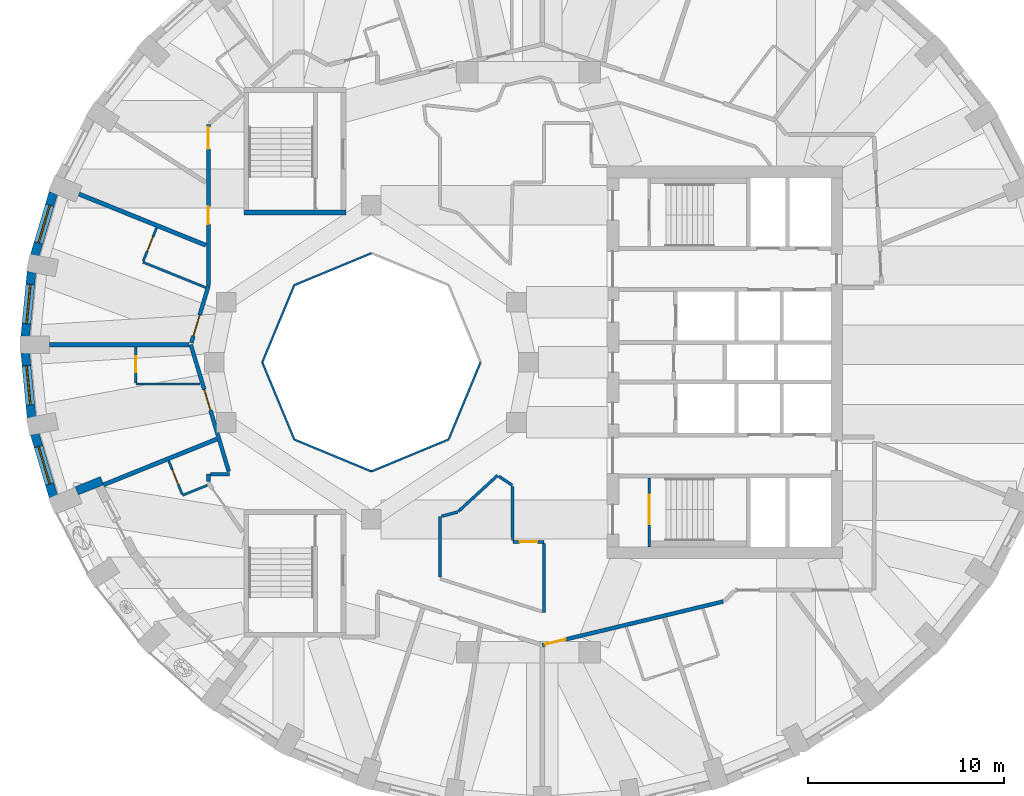
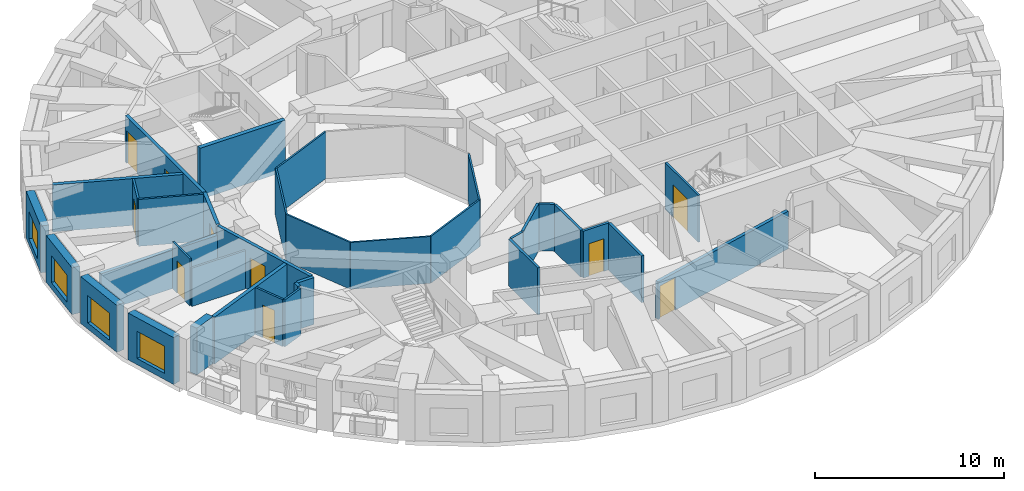
# One storey, part 4 of 12: 35 walls, 10 doors, 4 windows, 14 openings.
"""IFC4 building model written with IfcOpenShell, lengths in metres."""

from ifc_helpers import new_model, si_unit, direction, frame, frame_2d, origin, place, context, subcontext, project, spatial, rectangle, extrude, material, layer, layer_set, type_object, element, fill, save


model = new_model("IFC4")

# Units and contexts
model_context = context("Model", 3, precision=1e-05, world=origin(), true_north=direction((0.0, 1.0)))
body_context = subcontext(model_context, "Body", "Model", "MODEL_VIEW")
ifc_project = project(units=[si_unit("LENGTHUNIT", "METRE"), si_unit("AREAUNIT", "SQUARE_METRE"), si_unit("VOLUMEUNIT", "CUBIC_METRE"), si_unit("PLANEANGLEUNIT", "RADIAN"), si_unit("MASSUNIT", "GRAM", prefix="KILO")], contexts=[model_context])

# Site, building, storey
site_placement = place(None, origin())
site = spatial("IfcSite", under=ifc_project, at=site_placement, CompositionType="ELEMENT")
building_placement = place(site_placement, origin())
building = spatial("IfcBuilding", under=site, at=building_placement, Name="Taillehof Tower", CompositionType="ELEMENT")
storey_placement = place(building_placement, frame((0.0, 0.0, 218.89990234375)))
storey = spatial("IfcBuildingStorey", under=building, at=storey_placement, Name="L62", CompositionType="ELEMENT", Elevation=218.89990234375)

# Walls
ifc_material_1 = material(Name="Fire-resisting glass in steel frame", Category="steel")
ifc_layer_1 = layer(ifc_material_1, 0.10009765625)
ifc_layer_set_1 = layer_set([ifc_layer_1], Name="Atrium fire-resisting screen EI 60 100")
wall_type_1 = type_object("IfcWallType", Name="Atrium fire-resisting screen EI 60 100", PredefinedType="PARTITIONING", material=ifc_layer_set_1)
for number, where, z_axis, x_axis, name in (
    (1, (-2.44580078125, 0.0, 0.0), (0.0, 0.0, 1.0), (-0.382730523909, -0.923860025149, 0.0), "Atrium screen"),
    (2, (-4.07275390625, -3.92724609375, 0.0), (0.0, 0.0, 1.0), (-0.923860025149, -0.382730523909, 0.0), "Atrium screen"),
    (3, (-8.0, -5.55419921875, 0.0), (0.0, 0.0, 1.0), (-0.923860025149, 0.382730523909, 0.0), "Atrium screen"),
    (4, (-11.92724609375, -3.92724609375, 0.0), (0.0, 0.0, 1.0), (-0.382730523909, 0.923860025149, 0.0), "Atrium screen"),
    (5, (-13.55419921875, 0.0, 0.0), (0.0, 0.0, 1.0), (0.382730523909, 0.923860025149, 0.0), "Atrium screen"),
    (6, (-11.92724609375, 3.92724609375, 0.0), (0.0, 0.0, 1.0), (0.923860025149, 0.382730523909, 0.0), "Atrium screen"),
):
    element("IfcWall", number, at=place(storey_placement, frame(where, z_axis=z_axis, x_axis=x_axis)), inside=storey, type_object=wall_type_1, Name=name, PredefinedType="PARTITIONING", context=body_context, shape_type="SweptSolid", body=[
        extrude(rectangle(XDim=4.2509765625, YDim=0.10009765625, at=frame_2d((2.12548828125, 0.0))), origin(), (0.0, 0.0, 1.0), 3.02001953125),
    ])

# Wall, opening, window
ifc_material_2 = material(Name="Brick masonry", Category="masonry")
ifc_layer_2 = layer(ifc_material_2, 0.449951171875)
ifc_layer_set_2 = layer_set([ifc_layer_2], Name="Brick infill wall 450")
wall_type_2 = type_object("IfcWallType", Name="Brick infill wall 450", PredefinedType="SOLIDWALL", material=ifc_layer_set_2)
wall_1_placement = place(storey_placement, frame((-24.200439453125, 8.634033203125, 0.0), z_axis=(0.0, 0.0, 1.0), x_axis=(-0.285444972963, -0.958395099847, 0.0)))
wall_1 = element("IfcWall", 7, at=wall_1_placement, inside=storey, type_object=wall_type_2, Name="Brick wall L62 bay 17", PredefinedType="SOLIDWALL", context=body_context, shape_type="SweptSolid", body=[
    extrude(rectangle(XDim=3.3203125, YDim=0.449951171875, at=frame_2d((1.66015625, 0.0))), origin(), (0.0, 0.0, 1.0), 3.02001953125),
])
opening_1_placement = place(wall_1_placement, frame((0.66015625, 0.0, 0.39990234375)))
opening_1 = element("IfcOpeningElement", 8, at=opening_1_placement, cuts=wall_1, Name="Opening W2", PredefinedType="OPENING", context=body_context, shape_type="SweptSolid", body=[
    extrude(rectangle(XDim=2.0, YDim=1.75, at=frame_2d((1.0, 0.875))), frame((0.0, 0.23486328125, 0.0), z_axis=(0.0, -1.0, 0.0), x_axis=(1.0, 0.0, 0.0)), (0.0, 0.0, 1.0), 0.469970703125),
])
ifc_material_3 = material(Name="Aluminium window frame with clear double glazing", Category="aluminium")
window_type = type_object("IfcWindowType", Name="Deep-set window 2000x1750", PartitioningType="SINGLE_PANEL", PredefinedType="WINDOW", material=ifc_material_3)
window_1_placement = place(opening_1_placement, origin())
window_1 = element("IfcWindow", 9, at=window_1_placement, inside=storey, type_object=window_type, Name="W2", OverallHeight=1.75, OverallWidth=2.0, PartitioningType="SINGLE_PANEL", PredefinedType="WINDOW", context=body_context, shape_type="SweptSolid", body=[
    extrude(rectangle(XDim=2.0, YDim=1.75, at=frame_2d((1.0, 0.875))), frame((0.0, 0.034912109375, 0.0), z_axis=(0.0, -1.0, 0.0), x_axis=(1.0, 0.0, 0.0)), (0.0, 0.0, 1.0), 0.06005859375),
])
fill(opening_1, window_1)

wall_2_placement = place(storey_placement, frame((-25.313232421875, 4.607666015625, 0.0), z_axis=(0.0, 0.0, 1.0), x_axis=(-0.096824116835, -0.995301507283, 0.0)))
wall_2 = element("IfcWall", 10, at=wall_2_placement, inside=storey, type_object=wall_type_2, Name="Brick wall L62 bay 18", PredefinedType="SOLIDWALL", context=body_context, shape_type="SweptSolid", body=[
    extrude(rectangle(XDim=3.29296875, YDim=0.449951171875, at=frame_2d((1.646484375, 0.0))), origin(), (0.0, 0.0, 1.0), 3.02001953125),
])
opening_2_placement = place(wall_2_placement, frame((0.646484375, 0.0, 0.39990234375)))
opening_2 = element("IfcOpeningElement", 11, at=opening_2_placement, cuts=wall_2, Name="Opening W2", PredefinedType="OPENING", context=body_context, shape_type="SweptSolid", body=[
    extrude(rectangle(XDim=2.0, YDim=1.75, at=frame_2d((1.0, 0.875))), frame((0.0, 0.23486328125, 0.0), z_axis=(0.0, -1.0, 0.0), x_axis=(1.0, 0.0, 0.0)), (0.0, 0.0, 1.0), 0.469970703125),
])
window_2_placement = place(opening_2_placement, origin())
window_2 = element("IfcWindow", 12, at=window_2_placement, inside=storey, type_object=window_type, Name="W2", OverallHeight=1.75, OverallWidth=2.0, PartitioningType="SINGLE_PANEL", PredefinedType="WINDOW", context=body_context, shape_type="SweptSolid", body=[
    extrude(rectangle(XDim=2.0, YDim=1.75, at=frame_2d((1.0, 0.875))), frame((0.0, 0.034912109375, 0.0), z_axis=(0.0, -1.0, 0.0), x_axis=(1.0, 0.0, 0.0)), (0.0, 0.0, 1.0), 0.06005859375),
])
fill(opening_2, window_2)

wall_3_placement = place(storey_placement, frame((-25.632080078125, 0.469970703125, 0.0), z_axis=(0.0, 0.0, 1.0), x_axis=(0.096816972749, -0.995302202242, 0.0)))
wall_3 = element("IfcWall", 13, at=wall_3_placement, inside=storey, type_object=wall_type_2, Name="Brick wall L62 bay 19", PredefinedType="SOLIDWALL", context=body_context, shape_type="SweptSolid", body=[
    extrude(rectangle(XDim=3.293212890625, YDim=0.449951171875, at=frame_2d((1.646484375, 0.0))), origin(), (0.0, 0.0, 1.0), 3.02001953125),
])
opening_3_placement = place(wall_3_placement, frame((0.646484375, 0.0, 0.39990234375)))
opening_3 = element("IfcOpeningElement", 14, at=opening_3_placement, cuts=wall_3, Name="Opening W2", PredefinedType="OPENING", context=body_context, shape_type="SweptSolid", body=[
    extrude(rectangle(XDim=2.0, YDim=1.75, at=frame_2d((1.0, 0.875))), frame((0.0, 0.23486328125, 0.0), z_axis=(0.0, -1.0, 0.0), x_axis=(1.0, 0.0, 0.0)), (0.0, 0.0, 1.0), 0.469970703125),
])
window_3_placement = place(opening_3_placement, origin())
window_3 = element("IfcWindow", 15, at=window_3_placement, inside=storey, type_object=window_type, Name="W2", OverallHeight=1.75, OverallWidth=2.0, PartitioningType="SINGLE_PANEL", PredefinedType="WINDOW", context=body_context, shape_type="SweptSolid", body=[
    extrude(rectangle(XDim=2.0, YDim=1.75, at=frame_2d((1.0, 0.875))), frame((0.0, 0.034912109375, 0.0), z_axis=(0.0, -1.0, 0.0), x_axis=(1.0, 0.0, 0.0)), (0.0, 0.0, 1.0), 0.06005859375),
])
fill(opening_3, window_3)

wall_4_placement = place(storey_placement, frame((-25.148193359375, -3.65185546875, 0.0), z_axis=(0.0, 0.0, 1.0), x_axis=(0.285444972963, -0.958395099847, 0.0)))
wall_4 = element("IfcWall", 16, at=wall_4_placement, inside=storey, type_object=wall_type_2, Name="Brick wall L62 bay 20", PredefinedType="SOLIDWALL", context=body_context, shape_type="SweptSolid", body=[
    extrude(rectangle(XDim=3.3203125, YDim=0.449951171875, at=frame_2d((1.66015625, 0.0))), origin(), (0.0, 0.0, 1.0), 3.02001953125),
])
opening_4_placement = place(wall_4_placement, frame((0.66015625, 0.0, 0.39990234375)))
opening_4 = element("IfcOpeningElement", 17, at=opening_4_placement, cuts=wall_4, Name="Opening W2", PredefinedType="OPENING", context=body_context, shape_type="SweptSolid", body=[
    extrude(rectangle(XDim=2.0, YDim=1.75, at=frame_2d((1.0, 0.875))), frame((0.0, 0.23486328125, 0.0), z_axis=(0.0, -1.0, 0.0), x_axis=(1.0, 0.0, 0.0)), (0.0, 0.0, 1.0), 0.469970703125),
])
window_4_placement = place(opening_4_placement, origin())
window_4 = element("IfcWindow", 18, at=window_4_placement, inside=storey, type_object=window_type, Name="W2", OverallHeight=1.75, OverallWidth=2.0, PartitioningType="SINGLE_PANEL", PredefinedType="WINDOW", context=body_context, shape_type="SweptSolid", body=[
    extrude(rectangle(XDim=2.0, YDim=1.75, at=frame_2d((1.0, 0.875))), frame((0.0, 0.034912109375, 0.0), z_axis=(0.0, -1.0, 0.0), x_axis=(1.0, 0.0, 0.0)), (0.0, 0.0, 1.0), 0.06005859375),
])
fill(opening_4, window_4)

# Wall
wall_5_placement = place(storey_placement, frame((-23.0078125, -6.54638671875, 0.0), z_axis=(0.0, 0.0, 1.0), x_axis=(0.927346156366, 0.37420463155, 0.0)))
element("IfcWall", 19, at=wall_5_placement, inside=storey, type_object=wall_type_2, Name="Brick reveal L62 pocket 6", PredefinedType="SOLIDWALL", context=body_context, shape_type="SweptSolid", body=[
    extrude(rectangle(XDim=1.390380859375, YDim=0.449951171875, at=frame_2d((0.6953125, 0.0))), origin(), (0.0, 0.0, 1.0), 3.02001953125),
])

# Wall, opening, door
ifc_material_4 = material(Name="Gypsum board on steel studs, two layers each side", Category="steel")
ifc_layer_3 = layer(ifc_material_4, 0.199951171875)
ifc_layer_set_3 = layer_set([ifc_layer_3], Name="Compartment wall corridor 200")
wall_type_3 = type_object("IfcWallType", Name="Compartment wall corridor 200", PredefinedType="PARTITIONING", material=ifc_layer_set_3)
wall_6_placement = place(storey_placement, frame((9.922119140625, -12.1826171875, 0.0), z_axis=(0.0, 0.0, 1.0), x_axis=(-0.972292362394, -0.233768180104, 0.0)))
wall_6 = element("IfcWall", 20, at=wall_6_placement, inside=storey, type_object=wall_type_3, Name="Compartment wall", PredefinedType="PARTITIONING", context=body_context, shape_type="SweptSolid", body=[
    extrude(rectangle(XDim=9.48486328125, YDim=0.199951171875, at=frame_2d((4.742431640625, 0.0))), origin(), (0.0, 0.0, 1.0), 2.420166015625),
])
opening_5_placement = place(wall_6_placement, frame((8.244873046875, 0.0, 0.0)))
opening_5 = element("IfcOpeningElement", 21, at=opening_5_placement, cuts=wall_6, Name="Opening D6261", PredefinedType="OPENING", context=body_context, shape_type="SweptSolid", body=[
    extrude(rectangle(XDim=1.10009765625, YDim=2.10009765625, at=frame_2d((0.550048828125, 1.050048828125))), frame((0.0, 0.10986328125, 0.0), z_axis=(0.0, -1.0, 0.0), x_axis=(1.0, 0.0, 0.0)), (0.0, 0.0, 1.0), 0.219970703125),
])
ifc_material_5 = material(Name="Timber door leaf in steel frame", Category="steel")
door_type_1 = type_object("IfcDoorType", Name="Suite entrance door EI 30 1100 x 2100", OperationType="SINGLE_SWING_LEFT", PredefinedType="DOOR", material=ifc_material_5)
door_1_placement = place(opening_5_placement, origin())
door_1 = element("IfcDoor", 22, at=door_1_placement, inside=storey, type_object=door_type_1, Name="D6261", OperationType="SINGLE_SWING_RIGHT", OverallHeight=2.10009765625, OverallWidth=1.10009765625, PredefinedType="DOOR", context=body_context, shape_type="SweptSolid", body=[
    extrude(rectangle(XDim=1.10009765625, YDim=2.10009765625, at=frame_2d((0.550048828125, 1.050048828125))), frame((0.0, 0.02490234375, 0.0), z_axis=(0.0, -1.0, 0.0), x_axis=(1.0, 0.0, 0.0)), (0.0, 0.0, 1.0), 0.050048828125),
])
fill(opening_5, door_1)

# Walls
wall_7_placement = place(storey_placement, frame((-16.300048828125, -6.080078125, 0.0), z_axis=(0.0, 0.0, 1.0), x_axis=(0.0, 1.0, 0.0)))
element("IfcWall", 23, at=wall_7_placement, inside=storey, type_object=wall_type_3, Name="Compartment wall", PredefinedType="PARTITIONING", context=body_context, shape_type="SweptSolid", body=[
    extrude(rectangle(XDim=0.380126953125, YDim=0.199951171875, at=frame_2d((0.18994140625, 0.0))), origin(), (0.0, 0.0, 1.0), 3.02001953125),
])
wall_8_placement = place(storey_placement, frame((-16.199951171875, -5.699951171875, 0.0), z_axis=(0.0, 0.0, 1.0), x_axis=(1.0, 0.0, 0.0)))
element("IfcWall", 24, at=wall_8_placement, inside=storey, type_object=wall_type_3, Name="Compartment wall", PredefinedType="PARTITIONING", context=body_context, shape_type="SweptSolid", body=[
    extrude(rectangle(XDim=0.978759765625, YDim=0.199951171875, at=frame_2d((0.4892578125, 0.0))), origin(), (0.0, 0.0, 1.0), 3.02001953125),
])

# Wall, opening, door
wall_9_placement = place(storey_placement, frame((-15.26220703125, -5.566650390625, 0.0), z_axis=(0.0, 0.0, 1.0), x_axis=(-0.28704593875, 0.957916817395, 0.0)))
wall_9 = element("IfcWall", 25, at=wall_9_placement, inside=storey, type_object=wall_type_3, Name="Compartment wall", PredefinedType="PARTITIONING", context=body_context, shape_type="SweptSolid", body=[
    extrude(rectangle(XDim=6.750732421875, YDim=0.199951171875, at=frame_2d((3.37548828125, 0.0))), origin(), (0.0, 0.0, 1.0), 3.02001953125),
])
opening_6_placement = place(wall_9_placement, frame((3.25927734375, 0.0, 0.0)))
opening_6 = element("IfcOpeningElement", 26, at=opening_6_placement, cuts=wall_9, Name="Opening D6254", PredefinedType="OPENING", context=body_context, shape_type="SweptSolid", body=[
    extrude(rectangle(XDim=1.10009765625, YDim=2.10009765625, at=frame_2d((0.550048828125, 1.050048828125))), frame((0.0, 0.10986328125, 0.0), z_axis=(0.0, -1.0, 0.0), x_axis=(1.0, 0.0, 0.0)), (0.0, 0.0, 1.0), 0.219970703125),
])
door_2_placement = place(opening_6_placement, origin())
door_2 = element("IfcDoor", 27, at=door_2_placement, inside=storey, type_object=door_type_1, Name="D6254", OperationType="SINGLE_SWING_RIGHT", OverallHeight=2.10009765625, OverallWidth=1.10009765625, PredefinedType="DOOR", context=body_context, shape_type="SweptSolid", body=[
    extrude(rectangle(XDim=1.10009765625, YDim=2.10009765625, at=frame_2d((0.550048828125, 1.050048828125))), frame((0.0, 0.02490234375, 0.0), z_axis=(0.0, -1.0, 0.0), x_axis=(1.0, 0.0, 0.0)), (0.0, 0.0, 1.0), 0.050048828125),
])
fill(opening_6, door_2)

wall_10_placement = place(storey_placement, frame((-17.170654296875, 0.9951171875, 0.0), z_axis=(0.0, 0.0, 1.0), x_axis=(0.286919722033, 0.957954629984, 0.0)))
wall_10 = element("IfcWall", 28, at=wall_10_placement, inside=storey, type_object=wall_type_3, Name="Compartment wall", PredefinedType="PARTITIONING", context=body_context, shape_type="SweptSolid", body=[
    extrude(rectangle(XDim=3.034423828125, YDim=0.199951171875, at=frame_2d((1.51708984375, 0.0))), origin(), (0.0, 0.0, 1.0), 3.02001953125),
])
opening_7_placement = place(wall_10_placement, frame((0.365234375, 0.0, 0.0)))
opening_7 = element("IfcOpeningElement", 29, at=opening_7_placement, cuts=wall_10, Name="Opening D6252", PredefinedType="OPENING", context=body_context, shape_type="SweptSolid", body=[
    extrude(rectangle(XDim=1.10009765625, YDim=2.10009765625, at=frame_2d((0.550048828125, 1.050048828125))), frame((0.0, 0.10986328125, 0.0), z_axis=(0.0, -1.0, 0.0), x_axis=(1.0, 0.0, 0.0)), (0.0, 0.0, 1.0), 0.219970703125),
])
door_3_placement = place(opening_7_placement, origin())
door_3 = element("IfcDoor", 30, at=door_3_placement, inside=storey, type_object=door_type_1, Name="D6252", OperationType="SINGLE_SWING_LEFT", OverallHeight=2.10009765625, OverallWidth=1.10009765625, PredefinedType="DOOR", context=body_context, shape_type="SweptSolid", body=[
    extrude(rectangle(XDim=1.10009765625, YDim=2.10009765625, at=frame_2d((0.550048828125, 1.050048828125))), frame((0.0, 0.02490234375, 0.0), z_axis=(0.0, -1.0, 0.0), x_axis=(1.0, 0.0, 0.0)), (0.0, 0.0, 1.0), 0.050048828125),
])
fill(opening_7, door_3)

# Wall, openings, doors
wall_11_placement = place(storey_placement, frame((-16.300048828125, 3.921875, 0.0), z_axis=(0.0, 0.0, 1.0), x_axis=(0.0, 1.0, 0.0)))
wall_11 = element("IfcWall", 31, at=wall_11_placement, inside=storey, type_object=wall_type_3, Name="Compartment wall", PredefinedType="PARTITIONING", context=body_context, shape_type="SweptSolid", body=[
    extrude(rectangle(XDim=8.193115234375, YDim=0.199951171875, at=frame_2d((4.0966796875, 0.0))), origin(), (0.0, 0.0, 1.0), 3.02001953125),
])
opening_8_placement = place(wall_11_placement, frame((6.953125, 0.0, 0.0)))
opening_8 = element("IfcOpeningElement", 32, at=opening_8_placement, cuts=wall_11, Name="Opening D6249", PredefinedType="OPENING", context=body_context, shape_type="SweptSolid", body=[
    extrude(rectangle(XDim=1.10009765625, YDim=2.10009765625, at=frame_2d((0.550048828125, 1.050048828125))), frame((0.0, 0.10986328125, 0.0), z_axis=(0.0, -1.0, 0.0), x_axis=(1.0, 0.0, 0.0)), (0.0, 0.0, 1.0), 0.219970703125),
])
opening_9_placement = place(wall_11_placement, frame((3.123046875, 0.0, 0.0)))
opening_9 = element("IfcOpeningElement", 33, at=opening_9_placement, cuts=wall_11, Name="Opening D6251", PredefinedType="OPENING", context=body_context, shape_type="SweptSolid", body=[
    extrude(rectangle(XDim=0.89990234375, YDim=2.10009765625, at=frame_2d((0.449951171875, 1.050048828125))), frame((0.0, 0.10986328125, 0.0), z_axis=(0.0, -1.0, 0.0), x_axis=(1.0, 0.0, 0.0)), (0.0, 0.0, 1.0), 0.219970703125),
])
ifc_material_6 = material(Name="Timber door leaf in steel frame", Category="steel")
door_type_2 = type_object("IfcDoorType", Name="Service room door EI 30 900 x 2100", OperationType="SINGLE_SWING_LEFT", PredefinedType="DOOR", material=ifc_material_6)
door_4_placement = place(opening_9_placement, origin())
door_4 = element("IfcDoor", 34, at=door_4_placement, inside=storey, type_object=door_type_2, Name="D6251", OperationType="SINGLE_SWING_LEFT", OverallHeight=2.10009765625, OverallWidth=0.89990234375, PredefinedType="DOOR", context=body_context, shape_type="SweptSolid", body=[
    extrude(rectangle(XDim=0.89990234375, YDim=2.10009765625, at=frame_2d((0.449951171875, 1.050048828125))), frame((0.0, 0.02490234375, 0.0), z_axis=(0.0, -1.0, 0.0), x_axis=(1.0, 0.0, 0.0)), (0.0, 0.0, 1.0), 0.050048828125),
])
fill(opening_9, door_4)
door_5_placement = place(opening_8_placement, origin())
door_5 = element("IfcDoor", 35, at=door_5_placement, inside=storey, type_object=door_type_1, Name="D6249", OperationType="SINGLE_SWING_LEFT", OverallHeight=2.10009765625, OverallWidth=1.10009765625, PredefinedType="DOOR", context=body_context, shape_type="SweptSolid", body=[
    extrude(rectangle(XDim=1.10009765625, YDim=2.10009765625, at=frame_2d((0.550048828125, 1.050048828125))), frame((0.0, 0.02490234375, 0.0), z_axis=(0.0, -1.0, 0.0), x_axis=(1.0, 0.0, 0.0)), (0.0, 0.0, 1.0), 0.050048828125),
])
fill(opening_8, door_5)

# Walls
ifc_material_7 = material(Name="Gypsum board on double steel studs with mineral wool", Category="steel")
ifc_layer_4 = layer(ifc_material_7, 0.219970703125)
ifc_layer_set_4 = layer_set([ifc_layer_4], Name="Compartment wall guest room 220")
wall_type_4 = type_object("IfcWallType", Name="Compartment wall guest room 220", PredefinedType="PARTITIONING", material=ifc_layer_set_4)
wall_12_placement = place(storey_placement, frame((-22.8955078125, 8.5712890625, 0.0), z_axis=(0.0, 0.0, 1.0), x_axis=(0.927387137769, -0.374103056256, 0.0)))
element("IfcWall", 36, at=wall_12_placement, inside=storey, type_object=wall_type_4, Name="Compartment wall", PredefinedType="PARTITIONING", context=body_context, shape_type="SweptSolid", body=[
    extrude(rectangle(XDim=6.9638671875, YDim=0.219970703125, at=frame_2d((3.48193359375, 0.0))), origin(), (0.0, 0.0, 1.0), 3.02001953125),
])
wall_13_placement = place(storey_placement, frame((-24.39990234375, 0.89990234375, 0.0), z_axis=(0.0, 0.0, 1.0), x_axis=(1.0, 0.0, 0.0)))
element("IfcWall", 37, at=wall_13_placement, inside=storey, type_object=wall_type_4, Name="Compartment wall", PredefinedType="PARTITIONING", context=body_context, shape_type="SweptSolid", body=[
    extrude(rectangle(XDim=7.099853515625, YDim=0.219970703125, at=frame_2d((3.5498046875, 0.0))), origin(), (0.0, 0.0, 1.0), 2.47021484375),
])
wall_14_placement = place(storey_placement, frame((-21.65087890625, -6.241455078125, 0.0), z_axis=(0.0, 0.0, 1.0), x_axis=(0.927390089179, 0.37409573974, 0.0)))
element("IfcWall", 38, at=wall_14_placement, inside=storey, type_object=wall_type_4, Name="Compartment wall", PredefinedType="PARTITIONING", context=body_context, shape_type="SweptSolid", body=[
    extrude(rectangle(XDim=6.220703125, YDim=0.219970703125, at=frame_2d((3.1103515625, 0.0))), origin(), (0.0, 0.0, 1.0), 3.02001953125),
])

# Wall, opening, door
ifc_material_8 = material(Name="Gypsum board on steel studs, two layers each side", Category="steel")
ifc_layer_5 = layer(ifc_material_8, 0.14990234375)
ifc_layer_set_5 = layer_set([ifc_layer_5], Name="Compartment wall service room 150")
wall_type_5 = type_object("IfcWallType", Name="Compartment wall service room 150", PredefinedType="PARTITIONING", material=ifc_layer_set_5)
wall_15_placement = place(storey_placement, frame((-0.800048828125, -9.14990234375, 0.0), z_axis=(0.0, 0.0, 1.0), x_axis=(1.0, 0.0, 0.0)))
wall_15 = element("IfcWall", 39, at=wall_15_placement, inside=storey, type_object=wall_type_5, Name="Compartment wall", PredefinedType="PARTITIONING", context=body_context, shape_type="SweptSolid", body=[
    extrude(rectangle(XDim=1.60009765625, YDim=0.14990234375, at=frame_2d((0.800048828125, 0.0))), origin(), (0.0, 0.0, 1.0), 3.02001953125),
])
opening_10_placement = place(wall_15_placement, frame((0.35009765625, 0.0, 0.0)))
opening_10 = element("IfcOpeningElement", 40, at=opening_10_placement, cuts=wall_15, Name="Opening D6269", PredefinedType="OPENING", context=body_context, shape_type="SweptSolid", body=[
    extrude(rectangle(XDim=0.89990234375, YDim=2.10009765625, at=frame_2d((0.449951171875, 1.050048828125))), frame((0.0, 0.0849609375, 0.0), z_axis=(0.0, -1.0, 0.0), x_axis=(1.0, 0.0, 0.0)), (0.0, 0.0, 1.0), 0.169921875),
])
door_6_placement = place(opening_10_placement, origin())
door_6 = element("IfcDoor", 41, at=door_6_placement, inside=storey, type_object=door_type_2, Name="D6269", OperationType="SINGLE_SWING_LEFT", OverallHeight=2.10009765625, OverallWidth=0.89990234375, PredefinedType="DOOR", context=body_context, shape_type="SweptSolid", body=[
    extrude(rectangle(XDim=0.89990234375, YDim=2.10009765625, at=frame_2d((0.449951171875, 1.050048828125))), frame((0.0, 0.02490234375, 0.0), z_axis=(0.0, -1.0, 0.0), x_axis=(1.0, 0.0, 0.0)), (0.0, 0.0, 1.0), 0.050048828125),
])
fill(opening_10, door_6)

# Walls
wall_16_placement = place(storey_placement, frame((0.800048828125, -9.22998046875, 0.0), z_axis=(0.0, 0.0, 1.0), x_axis=(0.0, -1.0, 0.0)))
element("IfcWall", 42, at=wall_16_placement, inside=storey, type_object=wall_type_5, Name="Compartment wall", PredefinedType="PARTITIONING", context=body_context, shape_type="SweptSolid", body=[
    extrude(rectangle(XDim=3.50048828125, YDim=0.14990234375, at=frame_2d((1.750244140625, 0.0))), origin(), (0.0, 0.0, 1.0), 3.02001953125),
])
wall_17_placement = place(storey_placement, frame((-4.5, -10.947021484375, 0.0), z_axis=(0.0, 0.0, 1.0), x_axis=(0.0, 1.0, 0.0)))
element("IfcWall", 43, at=wall_17_placement, inside=storey, type_object=wall_type_5, Name="Compartment wall", PredefinedType="PARTITIONING", context=body_context, shape_type="SweptSolid", body=[
    extrude(rectangle(XDim=3.0849609375, YDim=0.14990234375, at=frame_2d((1.54248046875, 0.0))), origin(), (0.0, 0.0, 1.0), 3.02001953125),
])
wall_18_placement = place(storey_placement, frame((-4.4228515625, -7.841552734375, 0.0), z_axis=(0.0, 0.0, 1.0), x_axis=(0.965853333569, 0.259089440221, 0.0)))
element("IfcWall", 44, at=wall_18_placement, inside=storey, type_object=wall_type_5, Name="Compartment wall", PredefinedType="PARTITIONING", context=body_context, shape_type="SweptSolid", body=[
    extrude(rectangle(XDim=0.851806640625, YDim=0.14990234375, at=frame_2d((0.42578125, 0.0))), origin(), (0.0, 0.0, 1.0), 3.02001953125),
])
wall_19_placement = place(storey_placement, frame((-3.57080078125, -7.593994140625, 0.0), z_axis=(0.0, 0.0, 1.0), x_axis=(0.736783660812, 0.676128565555, 0.0)))
element("IfcWall", 45, at=wall_19_placement, inside=storey, type_object=wall_type_5, Name="Compartment wall", PredefinedType="PARTITIONING", context=body_context, shape_type="SweptSolid", body=[
    extrude(rectangle(XDim=2.708984375, YDim=0.14990234375, at=frame_2d((1.3544921875, 0.0))), origin(), (0.0, 0.0, 1.0), 3.02001953125),
])
wall_20_placement = place(storey_placement, frame((-1.508544921875, -5.806396484375, 0.0), z_axis=(0.0, 0.0, 1.0), x_axis=(0.831367153095, -0.55572354346, 0.0)))
element("IfcWall", 46, at=wall_20_placement, inside=storey, type_object=wall_type_5, Name="Compartment wall", PredefinedType="PARTITIONING", context=body_context, shape_type="SweptSolid", body=[
    extrude(rectangle(XDim=0.825439453125, YDim=0.14990234375, at=frame_2d((0.41259765625, 0.0))), origin(), (0.0, 0.0, 1.0), 3.02001953125),
])
wall_21_placement = place(storey_placement, frame((-0.821533203125, -6.3251953125, 0.0), z_axis=(0.0, 0.0, 1.0), x_axis=(0.007471771501, -0.999972085926, 0.0)))
element("IfcWall", 47, at=wall_21_placement, inside=storey, type_object=wall_type_5, Name="Compartment wall", PredefinedType="PARTITIONING", context=body_context, shape_type="SweptSolid", body=[
    extrude(rectangle(XDim=2.74462890625, YDim=0.14990234375, at=frame_2d((1.372314453125, 0.0))), origin(), (0.0, 0.0, 1.0), 3.02001953125),
])
ifc_material_9 = material(Name="Gypsum board on steel studs, moisture resistant", Category="steel")
ifc_layer_6 = layer(ifc_material_9, 0.1201171875)
ifc_layer_set_6 = layer_set([ifc_layer_6], Name="En-suite wall 120")
wall_type_6 = type_object("IfcWallType", Name="En-suite wall 120", PredefinedType="PARTITIONING", material=ifc_layer_set_6)
wall_22_placement = place(storey_placement, frame((-16.4326171875, 3.8076171875, 0.0), z_axis=(0.0, 0.0, 1.0), x_axis=(-0.927374031513, 0.374135544522, 0.0)))
element("IfcWall", 48, at=wall_22_placement, inside=storey, type_object=wall_type_6, Name="En-suite wall", PredefinedType="PARTITIONING", context=body_context, shape_type="SweptSolid", body=[
    extrude(rectangle(XDim=3.463623046875, YDim=0.1201171875, at=frame_2d((1.73193359375, 0.0))), origin(), (0.0, 0.0, 1.0), 3.02001953125),
])
wall_23_placement = place(storey_placement, frame((-16.724609375, -1.10009765625, 0.0), z_axis=(0.0, 0.0, 1.0), x_axis=(-1.0, 0.0, 0.0)))
element("IfcWall", 49, at=wall_23_placement, inside=storey, type_object=wall_type_6, Name="En-suite wall", PredefinedType="PARTITIONING", context=body_context, shape_type="SweptSolid", body=[
    extrude(rectangle(XDim=3.275390625, YDim=0.1201171875, at=frame_2d((1.6376953125, 0.0))), origin(), (0.0, 0.0, 1.0), 2.47021484375),
])
wall_24_placement = place(storey_placement, frame((-16.35986328125, -6.263671875, 0.0), z_axis=(0.0, 0.0, 1.0), x_axis=(-0.927381089245, -0.374118049967, 0.0)))
element("IfcWall", 50, at=wall_24_placement, inside=storey, type_object=wall_type_6, Name="En-suite wall", PredefinedType="PARTITIONING", context=body_context, shape_type="SweptSolid", body=[
    extrude(rectangle(XDim=1.357421875, YDim=0.1201171875, at=frame_2d((0.6787109375, 0.0))), origin(), (0.0, 0.0, 1.0), 3.02001953125),
])

# Wall, opening, door
wall_25_placement = place(storey_placement, frame((-19.6220703125, 5.1591796875, 0.0), z_axis=(0.0, 0.0, 1.0), x_axis=(0.373873925611, 0.927479534948, 0.0)))
wall_25 = element("IfcWall", 51, at=wall_25_placement, inside=storey, type_object=wall_type_6, Name="En-suite wall", PredefinedType="PARTITIONING", context=body_context, shape_type="SweptSolid", body=[
    extrude(rectangle(XDim=1.829833984375, YDim=0.1201171875, at=frame_2d((0.9150390625, 0.0))), origin(), (0.0, 0.0, 1.0), 3.02001953125),
])
opening_11_placement = place(wall_25_placement, frame((0.539794921875, 0.0, 0.0)))
opening_11 = element("IfcOpeningElement", 52, at=opening_11_placement, cuts=wall_25, Name="Opening D6253", PredefinedType="OPENING", context=body_context, shape_type="SweptSolid", body=[
    extrude(rectangle(XDim=0.800048828125, YDim=2.10009765625, at=frame_2d((0.39990234375, 1.050048828125))), frame((0.0, 0.070068359375, 0.0), z_axis=(0.0, -1.0, 0.0), x_axis=(1.0, 0.0, 0.0)), (0.0, 0.0, 1.0), 0.14013671875),
])
ifc_material_10 = material(Name="Timber door leaf in steel frame", Category="steel")
door_type_3 = type_object("IfcDoorType", Name="En-suite door 800 x 2100", OperationType="SINGLE_SWING_LEFT", PredefinedType="DOOR", material=ifc_material_10)
door_7_placement = place(opening_11_placement, origin())
door_7 = element("IfcDoor", 53, at=door_7_placement, inside=storey, type_object=door_type_3, Name="D6253", OperationType="SINGLE_SWING_RIGHT", OverallHeight=2.10009765625, OverallWidth=0.800048828125, PredefinedType="DOOR", context=body_context, shape_type="SweptSolid", body=[
    extrude(rectangle(XDim=0.800048828125, YDim=2.10009765625, at=frame_2d((0.39990234375, 1.050048828125))), frame((0.0, 0.02490234375, 0.0), z_axis=(0.0, -1.0, 0.0), x_axis=(1.0, 0.0, 0.0)), (0.0, 0.0, 1.0), 0.050048828125),
])
fill(opening_11, door_7)

wall_26_placement = place(storey_placement, frame((-20.0, -1.0400390625, 0.0), z_axis=(0.0, 0.0, 1.0), x_axis=(0.0, 1.0, 0.0)))
wall_26 = element("IfcWall", 54, at=wall_26_placement, inside=storey, type_object=wall_type_6, Name="En-suite wall", PredefinedType="PARTITIONING", context=body_context, shape_type="SweptSolid", body=[
    extrude(rectangle(XDim=1.829833984375, YDim=0.1201171875, at=frame_2d((0.9150390625, 0.0))), origin(), (0.0, 0.0, 1.0), 3.02001953125),
])
opening_12_placement = place(wall_26_placement, frame((0.5400390625, 0.0, 0.0)))
opening_12 = element("IfcOpeningElement", 55, at=opening_12_placement, cuts=wall_26, Name="Opening D6255", PredefinedType="OPENING", context=body_context, shape_type="SweptSolid", body=[
    extrude(rectangle(XDim=0.800048828125, YDim=2.10009765625, at=frame_2d((0.39990234375, 1.050048828125))), frame((0.0, 0.070068359375, 0.0), z_axis=(0.0, -1.0, 0.0), x_axis=(1.0, 0.0, 0.0)), (0.0, 0.0, 1.0), 0.14013671875),
])
door_8_placement = place(opening_12_placement, origin())
door_8 = element("IfcDoor", 56, at=door_8_placement, inside=storey, type_object=door_type_3, Name="D6255", OperationType="SINGLE_SWING_RIGHT", OverallHeight=2.10009765625, OverallWidth=0.800048828125, PredefinedType="DOOR", context=body_context, shape_type="SweptSolid", body=[
    extrude(rectangle(XDim=0.800048828125, YDim=2.10009765625, at=frame_2d((0.39990234375, 1.050048828125))), frame((0.0, 0.02490234375, 0.0), z_axis=(0.0, -1.0, 0.0), x_axis=(1.0, 0.0, 0.0)), (0.0, 0.0, 1.0), 0.050048828125),
])
fill(opening_12, door_8)

wall_27_placement = place(storey_placement, frame((-17.641357421875, -6.7158203125, 0.0), z_axis=(0.0, 0.0, 1.0), x_axis=(-0.374103450988, 0.927386978536, 0.0)))
wall_27 = element("IfcWall", 57, at=wall_27_placement, inside=storey, type_object=wall_type_6, Name="En-suite wall", PredefinedType="PARTITIONING", context=body_context, shape_type="SweptSolid", body=[
    extrude(rectangle(XDim=1.829833984375, YDim=0.1201171875, at=frame_2d((0.9150390625, 0.0))), origin(), (0.0, 0.0, 1.0), 3.02001953125),
])
opening_13_placement = place(wall_27_placement, frame((0.539794921875, 0.0, 0.0)))
opening_13 = element("IfcOpeningElement", 58, at=opening_13_placement, cuts=wall_27, Name="Opening D6257", PredefinedType="OPENING", context=body_context, shape_type="SweptSolid", body=[
    extrude(rectangle(XDim=0.800048828125, YDim=2.10009765625, at=frame_2d((0.39990234375, 1.050048828125))), frame((0.0, 0.070068359375, 0.0), z_axis=(0.0, -1.0, 0.0), x_axis=(1.0, 0.0, 0.0)), (0.0, 0.0, 1.0), 0.14013671875),
])
door_9_placement = place(opening_13_placement, origin())
door_9 = element("IfcDoor", 59, at=door_9_placement, inside=storey, type_object=door_type_3, Name="D6257", OperationType="SINGLE_SWING_RIGHT", OverallHeight=2.10009765625, OverallWidth=0.800048828125, PredefinedType="DOOR", context=body_context, shape_type="SweptSolid", body=[
    extrude(rectangle(XDim=0.800048828125, YDim=2.10009765625, at=frame_2d((0.39990234375, 1.050048828125))), frame((0.0, 0.02490234375, 0.0), z_axis=(0.0, -1.0, 0.0), x_axis=(1.0, 0.0, 0.0)), (0.0, 0.0, 1.0), 0.050048828125),
])
fill(opening_13, door_9)

ifc_material_11 = material(Name="Concrete C50/60", Category="concrete")
ifc_layer_7 = layer(ifc_material_11, 0.1201171875)
ifc_layer_set_7 = layer_set([ifc_layer_7], Name="Stair lobby wall C50/60 120")
wall_type_7 = type_object("IfcWallType", Name="Stair lobby wall C50/60 120", PredefinedType="SHEAR", material=ifc_layer_set_7)
wall_28_placement = place(storey_placement, frame((6.159912109375, -9.39990234375, 0.0), z_axis=(0.0, 0.0, 1.0), x_axis=(0.0, 1.0, 0.0)))
wall_28 = element("IfcWall", 60, at=wall_28_placement, inside=storey, type_object=wall_type_7, Name="Compartment wall SW", PredefinedType="SHEAR", context=body_context, shape_type="SweptSolid", body=[
    extrude(rectangle(XDim=3.5, YDim=0.1201171875, at=frame_2d((1.75, 0.0))), origin(), (0.0, 0.0, 1.0), 3.02001953125),
])
opening_14_placement = place(wall_28_placement, frame((1.14990234375, 0.0, 0.0)))
opening_14 = element("IfcOpeningElement", 61, at=opening_14_placement, cuts=wall_28, Name="Opening D6211", PredefinedType="OPENING", context=body_context, shape_type="SweptSolid", body=[
    extrude(rectangle(XDim=1.5, YDim=2.10009765625, at=frame_2d((0.75, 1.050048828125))), frame((0.0, 0.070068359375, 0.0), z_axis=(0.0, -1.0, 0.0), x_axis=(1.0, 0.0, 0.0)), (0.0, 0.0, 1.0), 0.14013671875),
])
ifc_material_12 = material(Name="Steel-faced fire door", Category="steel")
door_type_4 = type_object("IfcDoorType", Name="Stair door 1500x2100", OperationType="DOUBLE_DOOR_SINGLE_SWING", PredefinedType="DOOR", material=ifc_material_12)
door_10_placement = place(opening_14_placement, origin())
door_10 = element("IfcDoor", 62, at=door_10_placement, inside=storey, type_object=door_type_4, Name="Stair lobby door S2", OperationType="DOUBLE_DOOR_SINGLE_SWING", OverallHeight=2.10009765625, OverallWidth=1.5, PredefinedType="DOOR", context=body_context, shape_type="SweptSolid", body=[
    extrude(rectangle(XDim=1.5, YDim=2.10009765625, at=frame_2d((0.75, 1.050048828125))), frame((0.0, 0.02490234375, 0.0), z_axis=(0.0, -1.0, 0.0), x_axis=(1.0, 0.0, 0.0)), (0.0, 0.0, 1.0), 0.050048828125),
])
fill(opening_14, door_10)

# Wall
ifc_material_13 = material(Name="Concrete C50/60", Category="concrete")
ifc_layer_8 = layer(ifc_material_13, 0.25)
ifc_layer_set_8 = layer_set([ifc_layer_8], Name="Stair wall C50/60 250")
wall_type_8 = type_object("IfcWallType", Name="Stair wall C50/60 250", PredefinedType="SHEAR", material=ifc_layer_set_8)
wall_29_placement = place(storey_placement, frame((-14.5, 7.625, -0.27978515625), z_axis=(0.0, 0.0, 1.0), x_axis=(1.0, 0.0, 0.0)))
element("IfcWall", 63, at=wall_29_placement, inside=storey, type_object=wall_type_8, Name="Stair wall SC", PredefinedType="SHEAR", context=body_context, shape_type="SweptSolid", body=[
    extrude(rectangle(XDim=5.199951171875, YDim=0.25, at=frame_2d((2.60009765625, 0.0))), origin(), (0.0, 0.0, 1.0), 3.2998046875),
])

save(model, "model.ifc")
